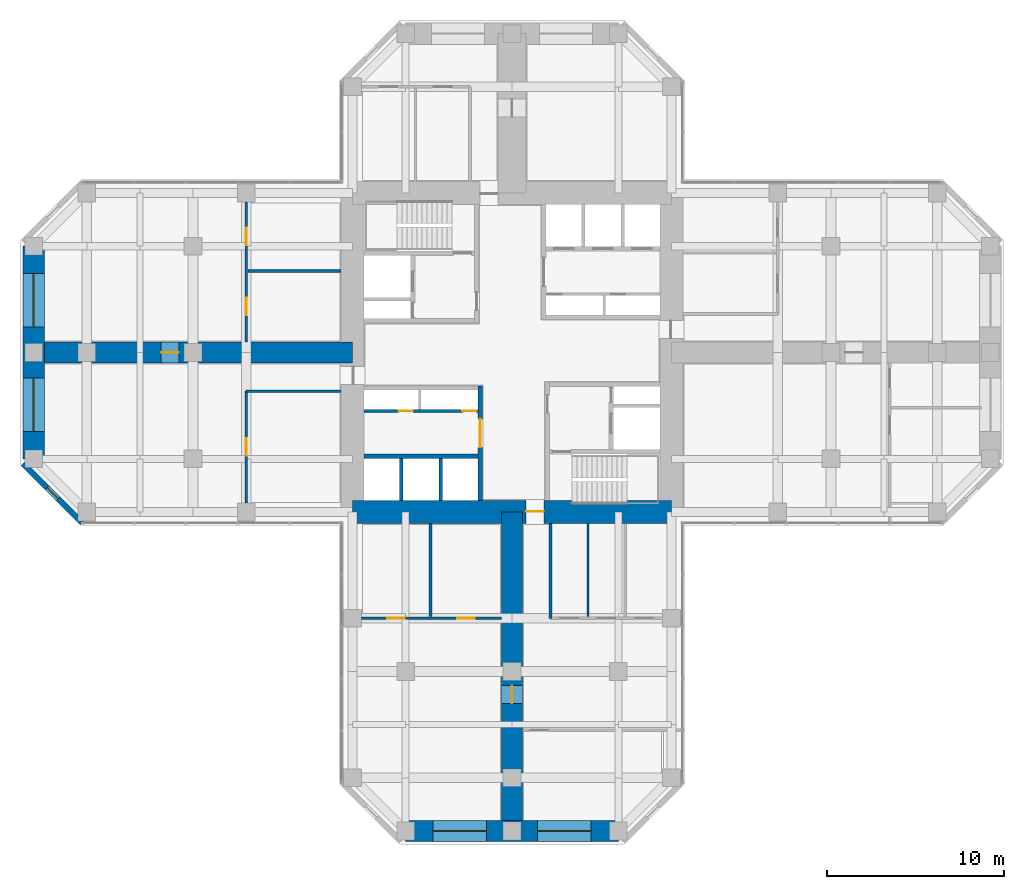
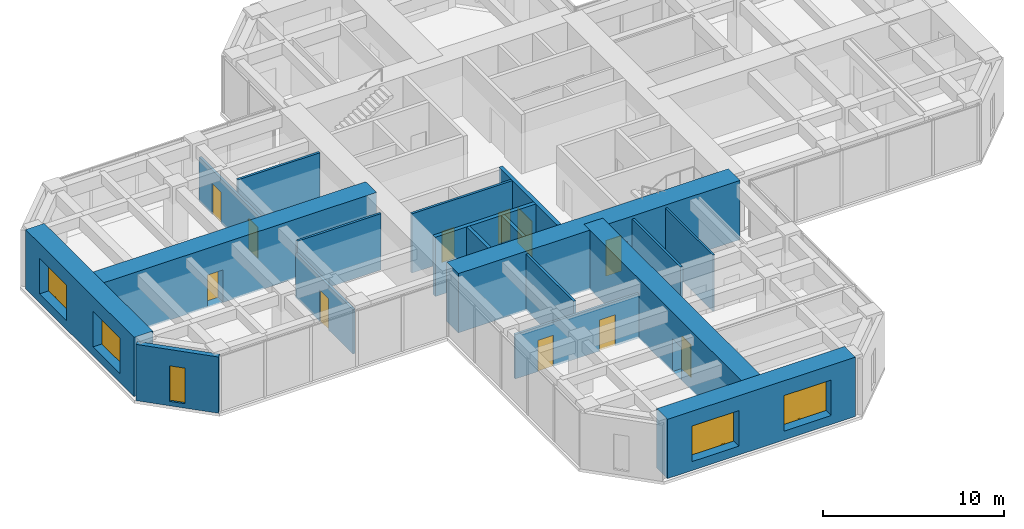
# One storey, part 8 of 12: 19 walls, 11 doors, 5 windows, 16 openings.
"""IFC4 building model written with IfcOpenShell, lengths in metres."""

from ifc_helpers import new_model, si_unit, direction, frame, frame_2d, origin, place, context, subcontext, project, spatial, rectangle, hollow_rectangle, extrude, material, layer, layer_set, constituent, constituent_set, type_object, element, fill, save


model = new_model("IFC4")

# Units and contexts
model_context = context("Model", 3, precision=1e-05, world=origin(), true_north=direction((0.0, 1.0)))
body_context = subcontext(model_context, "Body", "Model", "MODEL_VIEW")
ifc_project = project(units=[si_unit("LENGTHUNIT", "METRE"), si_unit("AREAUNIT", "SQUARE_METRE"), si_unit("VOLUMEUNIT", "CUBIC_METRE"), si_unit("PLANEANGLEUNIT", "RADIAN"), si_unit("MASSUNIT", "GRAM", prefix="KILO")], contexts=[model_context])

# Site, building, storey
site_placement = place(None, origin())
site = spatial("IfcSite", under=ifc_project, at=site_placement, CompositionType="ELEMENT")
building_placement = place(site_placement, origin())
building = spatial("IfcBuilding", under=site, at=building_placement, Name="Torre Cruceta", CompositionType="ELEMENT")
storey_placement = place(building_placement, frame((0.0, 0.0, 116.5)))
storey = spatial("IfcBuildingStorey", under=building, at=storey_placement, Name="L28", CompositionType="ELEMENT", Elevation=116.5)

# Wall, opening, door
ifc_material_1 = material(Name="Concrete G60 (fck 60 MPa)", Category="concrete")
ifc_layer_1 = layer(ifc_material_1, 0.25)
ifc_layer_set_1 = layer_set([ifc_layer_1], Name="Concrete G60 (fck 60 MPa)")
wall_type_1 = type_object("IfcWallType", Name="CORE INNER WALL 250 G60", PredefinedType="SHEAR", material=ifc_layer_set_1)
wall_1_placement = place(storey_placement, frame((-1.800048828125, -1.875, 0.0), z_axis=(0.0, 0.0, 1.0), x_axis=(0.0, -1.0, 0.0)))
wall_1 = element("IfcWall", 1, at=wall_1_placement, inside=storey, type_object=wall_type_1, Name="CW4 L28 SW-CU", PredefinedType="SHEAR", context=body_context, shape_type="SweptSolid", body=[
    extrude(rectangle(XDim=6.47509765625, YDim=0.25, at=frame_2d((3.237548828125, 0.0))), origin(), (0.0, 0.0, 1.0), 4.0),
])
opening_1_placement = place(wall_1_placement, frame((1.875, 0.0, 0.0)))
opening_1 = element("IfcOpeningElement", 2, at=opening_1_placement, cuts=wall_1, Name="Opening D15", PredefinedType="OPENING", context=body_context, shape_type="SweptSolid", body=[
    extrude(rectangle(XDim=1.60009765625, YDim=2.39990234375, at=frame_2d((0.800048828125, 1.199951171875))), frame((0.0, 0.135009765625, 0.0), z_axis=(0.0, -1.0, 0.0), x_axis=(1.0, 0.0, 0.0)), (0.0, 0.0, 1.0), 0.27001953125),
])
ifc_material_2 = material(Name="Steel DX51D", Category="steel")
ifc_constituent_1 = constituent(ifc_material_2, Name="Leaf and frame")
ifc_material_3 = material(Name="Polyester powder coating", Category="paint")
ifc_constituent_2 = constituent(ifc_material_3, Name="Finish")
ifc_constituent_set_1 = constituent_set(constituents=[ifc_constituent_1, ifc_constituent_2], Name="Steel fire door")
door_type_1 = type_object("IfcDoorType", Name="CORE ROOM DOUBLE DOOR 1600X2400", OperationType="DOUBLE_DOOR_SINGLE_SWING", PredefinedType="DOOR", material=ifc_constituent_set_1)
door_1_placement = place(opening_1_placement, frame((1.60009765625, 0.0, 0.0), z_axis=(0.0, 0.0, 1.0), x_axis=(-1.0, 0.0, 0.0)))
door_1 = element("IfcDoor", 3, at=door_1_placement, inside=storey, type_object=door_type_1, Name="D15 L28 SW-LOBBY", OperationType="DOUBLE_DOOR_SINGLE_SWING", OverallHeight=2.39990234375, OverallWidth=1.60009765625, PredefinedType="DOOR", context=body_context, shape_type="SweptSolid", body=[
    extrude(rectangle(XDim=1.60009765625, YDim=2.39990234375, at=frame_2d((0.800048828125, 1.199951171875))), frame((0.0, 0.025146484375, 0.0), z_axis=(0.0, -1.0, 0.0), x_axis=(1.0, 0.0, 0.0)), (0.0, 0.0, 1.0), 0.050048828125),
])
fill(opening_1, door_1)

# Wall
wall_2_placement = place(storey_placement, frame((-1.925048828125, -5.85009765625, 0.0), z_axis=(0.0, 0.0, 1.0), x_axis=(-1.0, 0.0, 0.0)))
element("IfcWall", 4, at=wall_2_placement, inside=storey, type_object=wall_type_1, Name="CW4 L28 SW-LV", PredefinedType="SHEAR", context=body_context, shape_type="SweptSolid", body=[
    extrude(rectangle(XDim=6.425048828125, YDim=0.25, at=frame_2d((3.21240234375, 0.0))), origin(), (0.0, 0.0, 1.0), 4.0),
])

# Wall, opening, door
ifc_material_4 = material(Name="Concrete G60 (fck 60 MPa)", Category="concrete")
ifc_layer_2 = layer(ifc_material_4, 1.300048828125)
ifc_layer_set_2 = layer_set([ifc_layer_2], Name="Concrete G60 (fck 60 MPa)")
wall_type_2 = type_object("IfcWallType", Name="CORE WALL 1300 G60", PredefinedType="SHEAR", material=ifc_layer_set_2)
wall_3_placement = place(storey_placement, frame((-9.0, -9.0, 0.0), z_axis=(0.0, 0.0, 1.0), x_axis=(1.0, 0.0, 0.0)))
wall_3 = element("IfcWall", 5, at=wall_3_placement, inside=storey, type_object=wall_type_2, Name="CW1 L28 CW-S", PredefinedType="SHEAR", context=body_context, shape_type="SweptSolid", body=[
    extrude(rectangle(XDim=18.0, YDim=1.300048828125, at=frame_2d((9.0, 0.0))), origin(), (0.0, 0.0, 1.0), 4.0),
])
opening_2_placement = place(wall_3_placement, frame((9.800048828125, 0.0, 0.0)))
opening_2 = element("IfcOpeningElement", 6, at=opening_2_placement, cuts=wall_3, Name="Opening D4", PredefinedType="OPENING", context=body_context, shape_type="SweptSolid", body=[
    extrude(rectangle(XDim=1.0, YDim=2.39990234375, at=frame_2d((0.5, 1.199951171875))), frame((0.0, 0.659912109375, 0.0), z_axis=(0.0, -1.0, 0.0), x_axis=(1.0, 0.0, 0.0)), (0.0, 0.0, 1.0), 1.320068359375),
])
ifc_material_5 = material(Name="Steel DX51D", Category="steel")
ifc_constituent_3 = constituent(ifc_material_5, Name="Leaf and frame")
ifc_material_6 = material(Name="Polyester powder coating", Category="paint")
ifc_constituent_4 = constituent(ifc_material_6, Name="Finish")
ifc_constituent_set_2 = constituent_set(constituents=[ifc_constituent_3, ifc_constituent_4], Name="Steel fire door")
door_type_2 = type_object("IfcDoorType", Name="CORE ARM DOOR 1000X2400", OperationType="SINGLE_SWING_RIGHT", PredefinedType="DOOR", material=ifc_constituent_set_2)
door_2_placement = place(opening_2_placement, frame((1.0, 0.0, 0.0), z_axis=(0.0, 0.0, 1.0), x_axis=(-1.0, 0.0, 0.0)))
door_2 = element("IfcDoor", 7, at=door_2_placement, inside=storey, type_object=door_type_2, Name="D4 L28 CW-S", OperationType="SINGLE_SWING_RIGHT", OverallHeight=2.39990234375, OverallWidth=1.0, PredefinedType="DOOR", context=body_context, shape_type="SweptSolid", body=[
    extrude(rectangle(XDim=1.0, YDim=2.39990234375, at=frame_2d((0.5, 1.199951171875))), frame((0.0, -0.005126953125, 0.0), z_axis=(0.0, -1.0, 0.0), x_axis=(1.0, 0.0, 0.0)), (0.0, 0.0, 1.0), 0.050048828125),
])
fill(opening_2, door_2)

# Wall, opening, window
ifc_material_7 = material(Name="Concrete G30 (fck 30 MPa)", Category="concrete")
ifc_layer_3 = layer(ifc_material_7, 0.300048828125)
ifc_layer_set_3 = layer_set([ifc_layer_3], Name="Concrete G30 (fck 30 MPa)")
wall_type_3 = type_object("IfcWallType", Name="EXPOSED CONCRETE FACADE WALL 300", PredefinedType="SOLIDWALL", material=ifc_layer_set_3)
wall_4_placement = place(storey_placement, frame((-27.60009765625, -6.27685546875, 0.0), z_axis=(0.0, 0.0, 1.0), x_axis=(0.707106781187, -0.707106781187, 0.0)))
wall_4 = element("IfcWall", 8, at=wall_4_placement, inside=storey, type_object=wall_type_3, Name="EW1 facade wall L28 W chamfer 13", PredefinedType="SOLIDWALL", context=body_context, shape_type="SweptSolid", body=[
    extrude(rectangle(XDim=4.72802734375, YDim=0.300048828125, at=frame_2d((2.364013671875, 0.0))), origin(), (0.0, 0.0, 1.0), 3.800048828125),
])
opening_3_placement = place(wall_4_placement, frame((1.9140625, 0.0, 0.300048828125)))
opening_3 = element("IfcOpeningElement", 9, at=opening_3_placement, cuts=wall_4, Name="Opening WN5", PredefinedType="OPENING", context=body_context, shape_type="SweptSolid", body=[
    extrude(rectangle(XDim=0.89990234375, YDim=2.39990234375, at=frame_2d((0.449951171875, 1.199951171875))), frame((0.0, 0.159912109375, 0.0), z_axis=(0.0, -1.0, 0.0), x_axis=(1.0, 0.0, 0.0)), (0.0, 0.0, 1.0), 0.320068359375),
])
ifc_material_8 = material(Name="Aluminium window frame", Category="aluminium")
ifc_constituent_5 = constituent(ifc_material_8, Name="Frame")
ifc_material_9 = material(Name="Laminated insulating glass unit, low-iron clear", Category="glass")
ifc_constituent_6 = constituent(ifc_material_9, Name="Glazing")
ifc_constituent_set_3 = constituent_set(constituents=[ifc_constituent_5, ifc_constituent_6], Name="Aluminium window")
window_type_1 = type_object("IfcWindowType", Name="CHAMFER SLOT WINDOW 900X2400", PartitioningType="SINGLE_PANEL", PredefinedType="WINDOW", material=ifc_constituent_set_3)
window_1_placement = place(opening_3_placement, origin())
window_1 = element("IfcWindow", 10, at=window_1_placement, inside=storey, type_object=window_type_1, Name="WN5 L28 W 1", OverallHeight=2.39990234375, OverallWidth=0.89990234375, PartitioningType="SINGLE_PANEL", PredefinedType="WINDOW", context=body_context, shape_type="SweptSolid", body=[
    extrude(hollow_rectangle(XDim=0.89990234375, YDim=2.39990234375, WallThickness=0.06005859375, at=frame_2d((0.449951171875, 1.199951171875))), frame((0.0, 0.030029296875, 0.0), z_axis=(0.0, -1.0, 0.0), x_axis=(1.0, 0.0, 0.0)), (0.0, 0.0, 1.0), 0.06005859375),
    extrude(rectangle(XDim=0.77880859375, YDim=2.27880859375, at=frame_2d((0.449951171875, 1.199951171875))), frame((0.0, 0.030029296875, 0.0), z_axis=(0.0, -1.0, 0.0), x_axis=(1.0, 0.0, 0.0)), (0.0, 0.0, 1.0), 0.06005859375),
])
fill(opening_3, window_1)

# Walls
ifc_material_10 = material(Name="Concrete G35 (fck 35 MPa)", Category="concrete")
ifc_layer_4 = layer(ifc_material_10, 0.199951171875)
ifc_layer_set_4 = layer_set([ifc_layer_4], Name="Concrete G35 (fck 35 MPa)")
wall_type_4 = type_object("IfcWallType", Name="LIFT SHAFT WALL 200", PredefinedType="PARTITIONING", material=ifc_layer_set_4)
for number, where, z_axis, x_axis, name in (
    (11, (-4.033447265625, -5.97509765625, 0.0), (0.0, 0.0, 1.0), (0.0, -1.0, 0.0), "SW1 L28 SW-LS1"),
    (12, (-6.24169921875, -5.97509765625, 0.0), (0.0, 0.0, 1.0), (0.0, -1.0, 0.0), "SW1 L28 SW-LS2"),
):
    element("IfcWall", number, at=place(storey_placement, frame(where, z_axis=z_axis, x_axis=x_axis)), inside=storey, type_object=wall_type_4, Name=name, PredefinedType="PARTITIONING", context=body_context, shape_type="SweptSolid", body=[
        extrude(rectangle(XDim=2.375, YDim=0.199951171875, at=frame_2d((1.1875, 0.0))), origin(), (0.0, 0.0, 1.0), 4.0),
    ])

# Wall, openings, windows
ifc_material_11 = material(Name="Concrete G60 (fck 60 MPa)", Category="concrete")
ifc_layer_5 = layer(ifc_material_11, 1.199951171875)
ifc_layer_set_5 = layer_set([ifc_layer_5], Name="Concrete G60 (fck 60 MPa)")
wall_type_5 = type_object("IfcWallType", Name="NOSE WALL 1200 G60", PredefinedType="SHEAR", material=ifc_layer_set_5)
wall_5_placement = place(storey_placement, frame((-6.0, -27.0, 0.0), z_axis=(0.0, 0.0, 1.0), x_axis=(1.0, 0.0, 0.0)))
wall_5 = element("IfcWall", 13, at=wall_5_placement, inside=storey, type_object=wall_type_5, Name="NW1 nose wall L28 S", PredefinedType="SHEAR", context=body_context, shape_type="SweptSolid", body=[
    extrude(rectangle(XDim=12.0, YDim=1.199951171875, at=frame_2d((6.0, 0.0))), origin(), (0.0, 0.0, 1.0), 4.0),
])
opening_4_placement = place(wall_5_placement, frame((1.550048828125, 0.0, 0.60009765625)))
opening_4 = element("IfcOpeningElement", 14, at=opening_4_placement, cuts=wall_5, Name="Opening WN6", PredefinedType="OPENING", context=body_context, shape_type="SweptSolid", body=[
    extrude(rectangle(XDim=3.0, YDim=2.39990234375, at=frame_2d((1.5, 1.199951171875))), frame((0.0, 0.60986328125, 0.0), z_axis=(0.0, -1.0, 0.0), x_axis=(1.0, 0.0, 0.0)), (0.0, 0.0, 1.0), 1.219970703125),
])
opening_5_placement = place(wall_5_placement, frame((7.449951171875, 0.0, 0.60009765625)))
opening_5 = element("IfcOpeningElement", 15, at=opening_5_placement, cuts=wall_5, Name="Opening WN6", PredefinedType="OPENING", context=body_context, shape_type="SweptSolid", body=[
    extrude(rectangle(XDim=3.0, YDim=2.39990234375, at=frame_2d((1.5, 1.199951171875))), frame((0.0, 0.60986328125, 0.0), z_axis=(0.0, -1.0, 0.0), x_axis=(1.0, 0.0, 0.0)), (0.0, 0.0, 1.0), 1.219970703125),
])
ifc_material_12 = material(Name="Aluminium window frame", Category="aluminium")
ifc_constituent_7 = constituent(ifc_material_12, Name="Frame")
ifc_material_13 = material(Name="Laminated insulating glass unit, low-iron clear", Category="glass")
ifc_constituent_8 = constituent(ifc_material_13, Name="Glazing")
ifc_constituent_set_4 = constituent_set(constituents=[ifc_constituent_7, ifc_constituent_8], Name="Aluminium window")
window_type_2 = type_object("IfcWindowType", Name="NOSE WALL WINDOW 3000X2400", PartitioningType="SINGLE_PANEL", PredefinedType="WINDOW", material=ifc_constituent_set_4)
window_2_placement = place(opening_4_placement, origin())
window_2 = element("IfcWindow", 16, at=window_2_placement, inside=storey, type_object=window_type_2, Name="WN6 L28 S 1", OverallHeight=2.39990234375, OverallWidth=3.0, PartitioningType="SINGLE_PANEL", PredefinedType="WINDOW", context=body_context, shape_type="SweptSolid", body=[
    extrude(hollow_rectangle(XDim=3.0, YDim=2.39990234375, WallThickness=0.06005859375, at=frame_2d((1.5, 1.199951171875))), frame((0.0, 0.030029296875, 0.0), z_axis=(0.0, -1.0, 0.0), x_axis=(1.0, 0.0, 0.0)), (0.0, 0.0, 1.0), 0.06005859375),
    extrude(rectangle(XDim=2.87890625, YDim=2.27880859375, at=frame_2d((1.5, 1.199951171875))), frame((0.0, 0.030029296875, 0.0), z_axis=(0.0, -1.0, 0.0), x_axis=(1.0, 0.0, 0.0)), (0.0, 0.0, 1.0), 0.06005859375),
])
fill(opening_4, window_2)
window_3_placement = place(opening_5_placement, origin())
window_3 = element("IfcWindow", 17, at=window_3_placement, inside=storey, type_object=window_type_2, Name="WN6 L28 S 2", OverallHeight=2.39990234375, OverallWidth=3.0, PartitioningType="SINGLE_PANEL", PredefinedType="WINDOW", context=body_context, shape_type="SweptSolid", body=[
    extrude(hollow_rectangle(XDim=3.0, YDim=2.39990234375, WallThickness=0.06005859375, at=frame_2d((1.5, 1.199951171875))), frame((0.0, 0.030029296875, 0.0), z_axis=(0.0, -1.0, 0.0), x_axis=(1.0, 0.0, 0.0)), (0.0, 0.0, 1.0), 0.06005859375),
    extrude(rectangle(XDim=2.87890625, YDim=2.27880859375, at=frame_2d((1.5, 1.199951171875))), frame((0.0, 0.030029296875, 0.0), z_axis=(0.0, -1.0, 0.0), x_axis=(1.0, 0.0, 0.0)), (0.0, 0.0, 1.0), 0.06005859375),
])
fill(opening_5, window_3)

wall_6_placement = place(storey_placement, frame((-27.0, 6.0, 0.0), z_axis=(0.0, 0.0, 1.0), x_axis=(0.0, -1.0, 0.0)))
wall_6 = element("IfcWall", 18, at=wall_6_placement, inside=storey, type_object=wall_type_5, Name="NW1 nose wall L28 W", PredefinedType="SHEAR", context=body_context, shape_type="SweptSolid", body=[
    extrude(rectangle(XDim=12.0, YDim=1.199951171875, at=frame_2d((6.0, 0.0))), origin(), (0.0, 0.0, 1.0), 4.0),
])
opening_6_placement = place(wall_6_placement, frame((1.550048828125, 0.0, 0.60009765625)))
opening_6 = element("IfcOpeningElement", 19, at=opening_6_placement, cuts=wall_6, Name="Opening WN6", PredefinedType="OPENING", context=body_context, shape_type="SweptSolid", body=[
    extrude(rectangle(XDim=3.0, YDim=2.39990234375, at=frame_2d((1.5, 1.199951171875))), frame((0.0, 0.60986328125, 0.0), z_axis=(0.0, -1.0, 0.0), x_axis=(1.0, 0.0, 0.0)), (0.0, 0.0, 1.0), 1.219970703125),
])
opening_7_placement = place(wall_6_placement, frame((7.449951171875, 0.0, 0.60009765625)))
opening_7 = element("IfcOpeningElement", 20, at=opening_7_placement, cuts=wall_6, Name="Opening WN6", PredefinedType="OPENING", context=body_context, shape_type="SweptSolid", body=[
    extrude(rectangle(XDim=3.0, YDim=2.39990234375, at=frame_2d((1.5, 1.199951171875))), frame((0.0, 0.60986328125, 0.0), z_axis=(0.0, -1.0, 0.0), x_axis=(1.0, 0.0, 0.0)), (0.0, 0.0, 1.0), 1.219970703125),
])
window_4_placement = place(opening_6_placement, origin())
window_4 = element("IfcWindow", 21, at=window_4_placement, inside=storey, type_object=window_type_2, Name="WN6 L28 W 1", OverallHeight=2.39990234375, OverallWidth=3.0, PartitioningType="SINGLE_PANEL", PredefinedType="WINDOW", context=body_context, shape_type="SweptSolid", body=[
    extrude(hollow_rectangle(XDim=3.0, YDim=2.39990234375, WallThickness=0.06005859375, at=frame_2d((1.5, 1.199951171875))), frame((0.0, 0.030029296875, 0.0), z_axis=(0.0, -1.0, 0.0), x_axis=(1.0, 0.0, 0.0)), (0.0, 0.0, 1.0), 0.06005859375),
    extrude(rectangle(XDim=2.87890625, YDim=2.27880859375, at=frame_2d((1.5, 1.199951171875))), frame((0.0, 0.030029296875, 0.0), z_axis=(0.0, -1.0, 0.0), x_axis=(1.0, 0.0, 0.0)), (0.0, 0.0, 1.0), 0.06005859375),
])
fill(opening_6, window_4)
window_5_placement = place(opening_7_placement, origin())
window_5 = element("IfcWindow", 22, at=window_5_placement, inside=storey, type_object=window_type_2, Name="WN6 L28 W 2", OverallHeight=2.39990234375, OverallWidth=3.0, PartitioningType="SINGLE_PANEL", PredefinedType="WINDOW", context=body_context, shape_type="SweptSolid", body=[
    extrude(hollow_rectangle(XDim=3.0, YDim=2.39990234375, WallThickness=0.06005859375, at=frame_2d((1.5, 1.199951171875))), frame((0.0, 0.030029296875, 0.0), z_axis=(0.0, -1.0, 0.0), x_axis=(1.0, 0.0, 0.0)), (0.0, 0.0, 1.0), 0.06005859375),
    extrude(rectangle(XDim=2.87890625, YDim=2.27880859375, at=frame_2d((1.5, 1.199951171875))), frame((0.0, 0.030029296875, 0.0), z_axis=(0.0, -1.0, 0.0), x_axis=(1.0, 0.0, 0.0)), (0.0, 0.0, 1.0), 0.06005859375),
])
fill(opening_7, window_5)

# Wall
ifc_material_14 = material(Name="Plasterboard on steel studs", Category="steel")
ifc_layer_6 = layer(ifc_material_14, 0.14990234375)
ifc_layer_set_6 = layer_set([ifc_layer_6], Name="Plasterboard on steel studs")
wall_type_6 = type_object("IfcWallType", Name="PARTITION 150", PredefinedType="PARTITIONING", material=ifc_layer_set_6)
wall_7_placement = place(storey_placement, frame((2.175048828125, -9.64990234375, 0.0), z_axis=(0.0, 0.0, 1.0), x_axis=(0.0, -1.0, 0.0)))
element("IfcWall", 23, at=wall_7_placement, inside=storey, type_object=wall_type_6, Name="PT1 L28-S-BSL", PredefinedType="PARTITIONING", context=body_context, shape_type="SweptSolid", body=[
    extrude(rectangle(XDim=5.35009765625, YDim=0.14990234375, at=frame_2d((2.675048828125, 0.0))), origin(), (0.0, 0.0, 1.0), 3.800048828125),
])

# Wall, openings, doors
wall_8_placement = place(storey_placement, frame((-8.5, -15.0, 0.0), z_axis=(0.0, 0.0, 1.0), x_axis=(1.0, 0.0, 0.0)))
wall_8 = element("IfcWall", 24, at=wall_8_placement, inside=storey, type_object=wall_type_6, Name="PT1 L28-S-BFR", PredefinedType="PARTITIONING", context=body_context, shape_type="SweptSolid", body=[
    extrude(rectangle(XDim=7.89990234375, YDim=0.14990234375, at=frame_2d((3.949951171875, 0.0))), origin(), (0.0, 0.0, 1.0), 3.0),
])
opening_8_placement = place(wall_8_placement, frame((1.449951171875, 0.0, 0.0)))
opening_8 = element("IfcOpeningElement", 25, at=opening_8_placement, cuts=wall_8, Name="Opening D3", PredefinedType="OPENING", context=body_context, shape_type="SweptSolid", body=[
    extrude(rectangle(XDim=1.0, YDim=2.10009765625, at=frame_2d((0.5, 1.050048828125))), frame((0.0, 0.0849609375, 0.0), z_axis=(0.0, -1.0, 0.0), x_axis=(1.0, 0.0, 0.0)), (0.0, 0.0, 1.0), 0.169921875),
])
opening_9_placement = place(wall_8_placement, frame((5.39990234375, 0.0, 0.0)))
opening_9 = element("IfcOpeningElement", 26, at=opening_9_placement, cuts=wall_8, Name="Opening D3", PredefinedType="OPENING", context=body_context, shape_type="SweptSolid", body=[
    extrude(rectangle(XDim=1.0, YDim=2.10009765625, at=frame_2d((0.5, 1.050048828125))), frame((0.0, 0.0849609375, 0.0), z_axis=(0.0, -1.0, 0.0), x_axis=(1.0, 0.0, 0.0)), (0.0, 0.0, 1.0), 0.169921875),
])
ifc_material_15 = material(Name="Steel DX51D", Category="steel")
ifc_constituent_9 = constituent(ifc_material_15, Name="Leaf and frame")
ifc_material_16 = material(Name="Polyester powder coating", Category="paint")
ifc_constituent_10 = constituent(ifc_material_16, Name="Finish")
ifc_constituent_set_5 = constituent_set(constituents=[ifc_constituent_9, ifc_constituent_10], Name="Steel fire door")
door_type_3 = type_object("IfcDoorType", Name="FIRE DOOR 1000X2100", OperationType="SINGLE_SWING_LEFT", PredefinedType="DOOR", material=ifc_constituent_set_5)
door_3_placement = place(opening_8_placement, origin())
door_3 = element("IfcDoor", 27, at=door_3_placement, inside=storey, type_object=door_type_3, Name="D3 L28-S-BFR-D1", OperationType="SINGLE_SWING_RIGHT", OverallHeight=2.10009765625, OverallWidth=1.0, PredefinedType="DOOR", context=body_context, shape_type="SweptSolid", body=[
    extrude(rectangle(XDim=1.0, YDim=2.10009765625, at=frame_2d((0.5, 1.050048828125))), frame((0.0, 0.02490234375, 0.0), z_axis=(0.0, -1.0, 0.0), x_axis=(1.0, 0.0, 0.0)), (0.0, 0.0, 1.0), 0.050048828125),
])
fill(opening_8, door_3)
door_4_placement = place(opening_9_placement, origin())
door_4 = element("IfcDoor", 28, at=door_4_placement, inside=storey, type_object=door_type_3, Name="D3 L28-S-BFR-D2", OperationType="SINGLE_SWING_LEFT", OverallHeight=2.10009765625, OverallWidth=1.0, PredefinedType="DOOR", context=body_context, shape_type="SweptSolid", body=[
    extrude(rectangle(XDim=1.0, YDim=2.10009765625, at=frame_2d((0.5, 1.050048828125))), frame((0.0, 0.02490234375, 0.0), z_axis=(0.0, -1.0, 0.0), x_axis=(1.0, 0.0, 0.0)), (0.0, 0.0, 1.0), 0.050048828125),
])
fill(opening_9, door_4)

# Wall
wall_9_placement = place(storey_placement, frame((-4.60009765625, -9.64990234375, 0.0), z_axis=(0.0, 0.0, 1.0), x_axis=(0.0, -1.0, 0.0)))
element("IfcWall", 29, at=wall_9_placement, inside=storey, type_object=wall_type_6, Name="PT1 L28-S-BDR1", PredefinedType="PARTITIONING", context=body_context, shape_type="SweptSolid", body=[
    extrude(rectangle(XDim=5.25, YDim=0.14990234375, at=frame_2d((2.625, 0.0))), origin(), (0.0, 0.0, 1.0), 3.800048828125),
])

# Wall, opening, door
wall_10_placement = place(storey_placement, frame((-15.0, -2.175048828125, 0.0), z_axis=(0.0, 0.0, 1.0), x_axis=(0.0, -1.0, 0.0)))
wall_10 = element("IfcWall", 30, at=wall_10_placement, inside=storey, type_object=wall_type_6, Name="PT1 L28-W-BFL", PredefinedType="PARTITIONING", context=body_context, shape_type="SweptSolid", body=[
    extrude(rectangle(XDim=6.324951171875, YDim=0.14990234375, at=frame_2d((3.16259765625, 0.0))), origin(), (0.0, 0.0, 1.0), 3.0),
])
opening_10_placement = place(wall_10_placement, frame((2.66259765625, 0.0, 0.0)))
opening_10 = element("IfcOpeningElement", 31, at=opening_10_placement, cuts=wall_10, Name="Opening D3", PredefinedType="OPENING", context=body_context, shape_type="SweptSolid", body=[
    extrude(rectangle(XDim=1.0, YDim=2.10009765625, at=frame_2d((0.5, 1.050048828125))), frame((0.0, 0.0849609375, 0.0), z_axis=(0.0, -1.0, 0.0), x_axis=(1.0, 0.0, 0.0)), (0.0, 0.0, 1.0), 0.169921875),
])
door_5_placement = place(opening_10_placement, origin())
door_5 = element("IfcDoor", 32, at=door_5_placement, inside=storey, type_object=door_type_3, Name="D3 L28-W-BFL-D1", OperationType="SINGLE_SWING_LEFT", OverallHeight=2.10009765625, OverallWidth=1.0, PredefinedType="DOOR", context=body_context, shape_type="SweptSolid", body=[
    extrude(rectangle(XDim=1.0, YDim=2.10009765625, at=frame_2d((0.5, 1.050048828125))), frame((0.0, 0.02490234375, 0.0), z_axis=(0.0, -1.0, 0.0), x_axis=(1.0, 0.0, 0.0)), (0.0, 0.0, 1.0), 0.050048828125),
])
fill(opening_10, door_5)

# Wall
wall_11_placement = place(storey_placement, frame((-9.64990234375, -2.175048828125, 0.0), z_axis=(0.0, 0.0, 1.0), x_axis=(-1.0, 0.0, 0.0)))
element("IfcWall", 33, at=wall_11_placement, inside=storey, type_object=wall_type_6, Name="PT1 L28-W-BSL", PredefinedType="PARTITIONING", context=body_context, shape_type="SweptSolid", body=[
    extrude(rectangle(XDim=5.35009765625, YDim=0.14990234375, at=frame_2d((2.675048828125, 0.0))), origin(), (0.0, 0.0, 1.0), 3.800048828125),
])

# Wall, openings, doors
wall_12_placement = place(storey_placement, frame((-15.0, 8.5, 0.0), z_axis=(0.0, 0.0, 1.0), x_axis=(0.0, -1.0, 0.0)))
wall_12 = element("IfcWall", 34, at=wall_12_placement, inside=storey, type_object=wall_type_6, Name="PT1 L28-W-BFR", PredefinedType="PARTITIONING", context=body_context, shape_type="SweptSolid", body=[
    extrude(rectangle(XDim=7.89990234375, YDim=0.14990234375, at=frame_2d((3.949951171875, 0.0))), origin(), (0.0, 0.0, 1.0), 3.0),
])
opening_11_placement = place(wall_12_placement, frame((1.449951171875, 0.0, 0.0)))
opening_11 = element("IfcOpeningElement", 35, at=opening_11_placement, cuts=wall_12, Name="Opening D3", PredefinedType="OPENING", context=body_context, shape_type="SweptSolid", body=[
    extrude(rectangle(XDim=1.0, YDim=2.10009765625, at=frame_2d((0.5, 1.050048828125))), frame((0.0, 0.0849609375, 0.0), z_axis=(0.0, -1.0, 0.0), x_axis=(1.0, 0.0, 0.0)), (0.0, 0.0, 1.0), 0.169921875),
])
opening_12_placement = place(wall_12_placement, frame((5.39990234375, 0.0, 0.0)))
opening_12 = element("IfcOpeningElement", 36, at=opening_12_placement, cuts=wall_12, Name="Opening D3", PredefinedType="OPENING", context=body_context, shape_type="SweptSolid", body=[
    extrude(rectangle(XDim=1.0, YDim=2.10009765625, at=frame_2d((0.5, 1.050048828125))), frame((0.0, 0.0849609375, 0.0), z_axis=(0.0, -1.0, 0.0), x_axis=(1.0, 0.0, 0.0)), (0.0, 0.0, 1.0), 0.169921875),
])
door_6_placement = place(opening_11_placement, origin())
door_6 = element("IfcDoor", 37, at=door_6_placement, inside=storey, type_object=door_type_3, Name="D3 L28-W-BFR-D1", OperationType="SINGLE_SWING_RIGHT", OverallHeight=2.10009765625, OverallWidth=1.0, PredefinedType="DOOR", context=body_context, shape_type="SweptSolid", body=[
    extrude(rectangle(XDim=1.0, YDim=2.10009765625, at=frame_2d((0.5, 1.050048828125))), frame((0.0, 0.02490234375, 0.0), z_axis=(0.0, -1.0, 0.0), x_axis=(1.0, 0.0, 0.0)), (0.0, 0.0, 1.0), 0.050048828125),
])
fill(opening_11, door_6)
door_7_placement = place(opening_12_placement, origin())
door_7 = element("IfcDoor", 38, at=door_7_placement, inside=storey, type_object=door_type_3, Name="D3 L28-W-BFR-D2", OperationType="SINGLE_SWING_LEFT", OverallHeight=2.10009765625, OverallWidth=1.0, PredefinedType="DOOR", context=body_context, shape_type="SweptSolid", body=[
    extrude(rectangle(XDim=1.0, YDim=2.10009765625, at=frame_2d((0.5, 1.050048828125))), frame((0.0, 0.02490234375, 0.0), z_axis=(0.0, -1.0, 0.0), x_axis=(1.0, 0.0, 0.0)), (0.0, 0.0, 1.0), 0.050048828125),
])
fill(opening_12, door_7)

# Wall
wall_13_placement = place(storey_placement, frame((-9.64990234375, 4.60009765625, 0.0), z_axis=(0.0, 0.0, 1.0), x_axis=(-1.0, 0.0, 0.0)))
element("IfcWall", 39, at=wall_13_placement, inside=storey, type_object=wall_type_6, Name="PT1 L28-W-BDR1", PredefinedType="PARTITIONING", context=body_context, shape_type="SweptSolid", body=[
    extrude(rectangle(XDim=5.25, YDim=0.14990234375, at=frame_2d((2.625, 0.0))), origin(), (0.0, 0.0, 1.0), 3.800048828125),
])

# Wall, openings, doors
ifc_material_17 = material(Name="Concrete block masonry", Category="masonry")
ifc_layer_7 = layer(ifc_material_17, 0.14990234375)
ifc_layer_set_7 = layer_set([ifc_layer_7], Name="Concrete block masonry")
wall_type_7 = type_object("IfcWallType", Name="RISER WALL 150", PredefinedType="PARTITIONING", material=ifc_layer_set_7)
wall_14_placement = place(storey_placement, frame((-1.925048828125, -3.300048828125, 0.0), z_axis=(0.0, 0.0, 1.0), x_axis=(-1.0, 0.0, 0.0)))
wall_14 = element("IfcWall", 40, at=wall_14_placement, inside=storey, type_object=wall_type_7, Name="SW7 L28 SW-RV", PredefinedType="PARTITIONING", context=body_context, shape_type="SweptSolid", body=[
    extrude(rectangle(XDim=6.425048828125, YDim=0.14990234375, at=frame_2d((3.21240234375, 0.0))), origin(), (0.0, 0.0, 1.0), 4.0),
])
opening_13_placement = place(wall_14_placement, frame((0.074951171875, 0.0, 0.0)))
opening_13 = element("IfcOpeningElement", 41, at=opening_13_placement, cuts=wall_14, Name="Opening D5", PredefinedType="OPENING", context=body_context, shape_type="SweptSolid", body=[
    extrude(rectangle(XDim=0.800048828125, YDim=2.10009765625, at=frame_2d((0.39990234375, 1.050048828125))), frame((0.0, 0.0849609375, 0.0), z_axis=(0.0, -1.0, 0.0), x_axis=(1.0, 0.0, 0.0)), (0.0, 0.0, 1.0), 0.169921875),
])
opening_14_placement = place(wall_14_placement, frame((3.675048828125, 0.0, 0.0)))
opening_14 = element("IfcOpeningElement", 42, at=opening_14_placement, cuts=wall_14, Name="Opening D5", PredefinedType="OPENING", context=body_context, shape_type="SweptSolid", body=[
    extrude(rectangle(XDim=0.800048828125, YDim=2.10009765625, at=frame_2d((0.39990234375, 1.050048828125))), frame((0.0, 0.0849609375, 0.0), z_axis=(0.0, -1.0, 0.0), x_axis=(1.0, 0.0, 0.0)), (0.0, 0.0, 1.0), 0.169921875),
])
ifc_material_18 = material(Name="Steel DX51D", Category="steel")
ifc_constituent_11 = constituent(ifc_material_18, Name="Leaf and frame")
ifc_material_19 = material(Name="Polyester powder coating", Category="paint")
ifc_constituent_12 = constituent(ifc_material_19, Name="Finish")
ifc_constituent_set_6 = constituent_set(constituents=[ifc_constituent_11, ifc_constituent_12], Name="Steel fire door")
door_type_4 = type_object("IfcDoorType", Name="RISER ACCESS DOOR 800X2100", OperationType="SINGLE_SWING_LEFT", PredefinedType="DOOR", material=ifc_constituent_set_6)
door_8_placement = place(opening_13_placement, frame((0.800048828125, 0.0, 0.0), z_axis=(0.0, 0.0, 1.0), x_axis=(-1.0, 0.0, 0.0)))
door_8 = element("IfcDoor", 43, at=door_8_placement, inside=storey, type_object=door_type_4, Name="D5 L28 SW-RISER1", OperationType="SINGLE_SWING_RIGHT", OverallHeight=2.10009765625, OverallWidth=0.800048828125, PredefinedType="DOOR", context=body_context, shape_type="SweptSolid", body=[
    extrude(rectangle(XDim=0.800048828125, YDim=2.10009765625, at=frame_2d((0.400146484375, 1.050048828125))), frame((0.0, 0.025146484375, 0.0), z_axis=(0.0, -1.0, 0.0), x_axis=(1.0, 0.0, 0.0)), (0.0, 0.0, 1.0), 0.050048828125),
])
fill(opening_13, door_8)
door_9_placement = place(opening_14_placement, frame((0.800048828125, 0.0, 0.0), z_axis=(0.0, 0.0, 1.0), x_axis=(-1.0, 0.0, 0.0)))
door_9 = element("IfcDoor", 44, at=door_9_placement, inside=storey, type_object=door_type_4, Name="D5 L28 SW-RISER2", OperationType="SINGLE_SWING_RIGHT", OverallHeight=2.10009765625, OverallWidth=0.800048828125, PredefinedType="DOOR", context=body_context, shape_type="SweptSolid", body=[
    extrude(rectangle(XDim=0.800048828125, YDim=2.10009765625, at=frame_2d((0.400146484375, 1.050048828125))), frame((0.0, 0.025146484375, 0.0), z_axis=(0.0, -1.0, 0.0), x_axis=(1.0, 0.0, 0.0)), (0.0, 0.0, 1.0), 0.050048828125),
])
fill(opening_14, door_9)

# Wall, opening, door
ifc_material_20 = material(Name="Concrete G60 (fck 60 MPa)", Category="concrete")
ifc_layer_8 = layer(ifc_material_20, 1.199951171875)
ifc_layer_set_8 = layer_set([ifc_layer_8], Name="Concrete G60 (fck 60 MPa)")
wall_type_8 = type_object("IfcWallType", Name="SPINE WALL 1200 G60", PredefinedType="SHEAR", material=ifc_layer_set_8)
wall_15_placement = place(storey_placement, frame((0.0, -9.0, 0.0), z_axis=(0.0, 0.0, 1.0), x_axis=(0.0, -1.0, 0.0)))
wall_15 = element("IfcWall", 45, at=wall_15_placement, inside=storey, type_object=wall_type_8, Name="SW3 spine wall L28 S", PredefinedType="SHEAR", context=body_context, shape_type="SweptSolid", body=[
    extrude(rectangle(XDim=18.0, YDim=1.199951171875, at=frame_2d((9.0, 0.0))), origin(), (0.0, 0.0, 1.0), 4.0),
])
opening_15_placement = place(wall_15_placement, frame((9.800048828125, 0.0, 0.0)))
opening_15 = element("IfcOpeningElement", 46, at=opening_15_placement, cuts=wall_15, Name="Opening D14", PredefinedType="OPENING", context=body_context, shape_type="SweptSolid", body=[
    extrude(rectangle(XDim=1.0, YDim=2.199951171875, at=frame_2d((0.5, 1.10009765625))), frame((0.0, 0.60986328125, 0.0), z_axis=(0.0, -1.0, 0.0), x_axis=(1.0, 0.0, 0.0)), (0.0, 0.0, 1.0), 1.219970703125),
])
ifc_material_21 = material(Name="Steel DX51D", Category="steel")
ifc_constituent_13 = constituent(ifc_material_21, Name="Leaf and frame")
ifc_material_22 = material(Name="Polyester powder coating", Category="paint")
ifc_constituent_14 = constituent(ifc_material_22, Name="Finish")
ifc_material_23 = material(Name="Fire-resisting glass", Category="glass")
ifc_constituent_15 = constituent(ifc_material_23, Name="Vision panel")
ifc_constituent_set_7 = constituent_set(constituents=[ifc_constituent_13, ifc_constituent_14, ifc_constituent_15], Name="Steel fire door with vision panel")
door_type_5 = type_object("IfcDoorType", Name="FIRE DOOR VISION PANEL 1000X2200", OperationType="SINGLE_SWING_RIGHT", PredefinedType="DOOR", material=ifc_constituent_set_7)
door_10_placement = place(opening_15_placement, origin())
door_10 = element("IfcDoor", 47, at=door_10_placement, inside=storey, type_object=door_type_5, Name="D14 L28-S-SP1", OperationType="SINGLE_SWING_RIGHT", OverallHeight=2.199951171875, OverallWidth=1.0, PredefinedType="DOOR", context=body_context, shape_type="SweptSolid", body=[
    extrude(rectangle(XDim=1.0, YDim=2.199951171875, at=frame_2d((0.5, 1.10009765625))), frame((0.0, 0.02490234375, 0.0), z_axis=(0.0, -1.0, 0.0), x_axis=(1.0, 0.0, 0.0)), (0.0, 0.0, 1.0), 0.050048828125),
])
fill(opening_15, door_10)

wall_16_placement = place(storey_placement, frame((-9.0, 0.0, 0.0), z_axis=(0.0, 0.0, 1.0), x_axis=(-1.0, 0.0, 0.0)))
wall_16 = element("IfcWall", 48, at=wall_16_placement, inside=storey, type_object=wall_type_8, Name="SW3 spine wall L28 W", PredefinedType="SHEAR", context=body_context, shape_type="SweptSolid", body=[
    extrude(rectangle(XDim=18.0, YDim=1.199951171875, at=frame_2d((9.0, 0.0))), origin(), (0.0, 0.0, 1.0), 4.0),
])
opening_16_placement = place(wall_16_placement, frame((9.800048828125, 0.0, 0.0)))
opening_16 = element("IfcOpeningElement", 49, at=opening_16_placement, cuts=wall_16, Name="Opening D14", PredefinedType="OPENING", context=body_context, shape_type="SweptSolid", body=[
    extrude(rectangle(XDim=1.0, YDim=2.199951171875, at=frame_2d((0.5, 1.10009765625))), frame((0.0, 0.60986328125, 0.0), z_axis=(0.0, -1.0, 0.0), x_axis=(1.0, 0.0, 0.0)), (0.0, 0.0, 1.0), 1.219970703125),
])
door_11_placement = place(opening_16_placement, frame((1.0, 0.0, 0.0), z_axis=(0.0, 0.0, 1.0), x_axis=(-1.0, 0.0, 0.0)))
door_11 = element("IfcDoor", 50, at=door_11_placement, inside=storey, type_object=door_type_5, Name="D14 L28-W-SP1", OperationType="SINGLE_SWING_RIGHT", OverallHeight=2.199951171875, OverallWidth=1.0, PredefinedType="DOOR", context=body_context, shape_type="SweptSolid", body=[
    extrude(rectangle(XDim=1.0, YDim=2.199951171875, at=frame_2d((0.5, 1.10009765625))), frame((0.0, 0.025146484375, 0.0), z_axis=(0.0, -1.0, 0.0), x_axis=(1.0, 0.0, 0.0)), (0.0, 0.0, 1.0), 0.050048828125),
])
fill(opening_16, door_11)

# Wall
ifc_material_24 = material(Name="Plasterboard on steel studs", Category="steel")
ifc_layer_9 = layer(ifc_material_24, 0.1201171875)
ifc_layer_set_9 = layer_set([ifc_layer_9], Name="Plasterboard on steel studs")
wall_type_9 = type_object("IfcWallType", Name="WC PARTITION 120", PredefinedType="PLUMBINGWALL", material=ifc_layer_set_9)
wall_17_placement = place(storey_placement, frame((4.283447265625, -9.64990234375, 0.0), z_axis=(0.0, 0.0, 1.0), x_axis=(0.0, -1.0, 0.0)))
element("IfcWall", 51, at=wall_17_placement, inside=storey, type_object=wall_type_9, Name="PT5 L28-S-BDL1", PredefinedType="PLUMBINGWALL", context=body_context, shape_type="SweptSolid", body=[
    extrude(rectangle(XDim=5.25, YDim=0.1201171875, at=frame_2d((2.625, 0.0))), origin(), (0.0, 0.0, 1.0), 3.800048828125),
])

save(model, "model.ifc")
